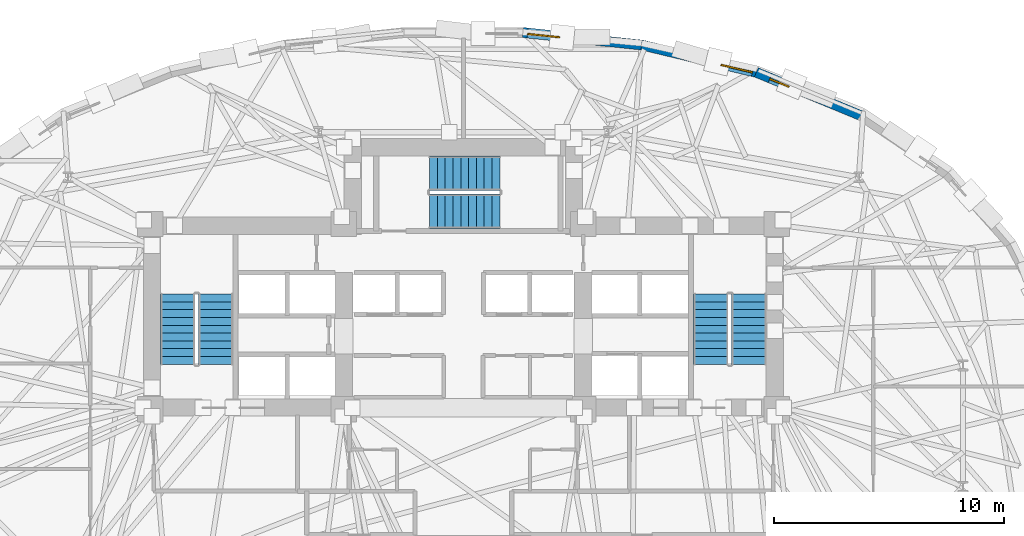
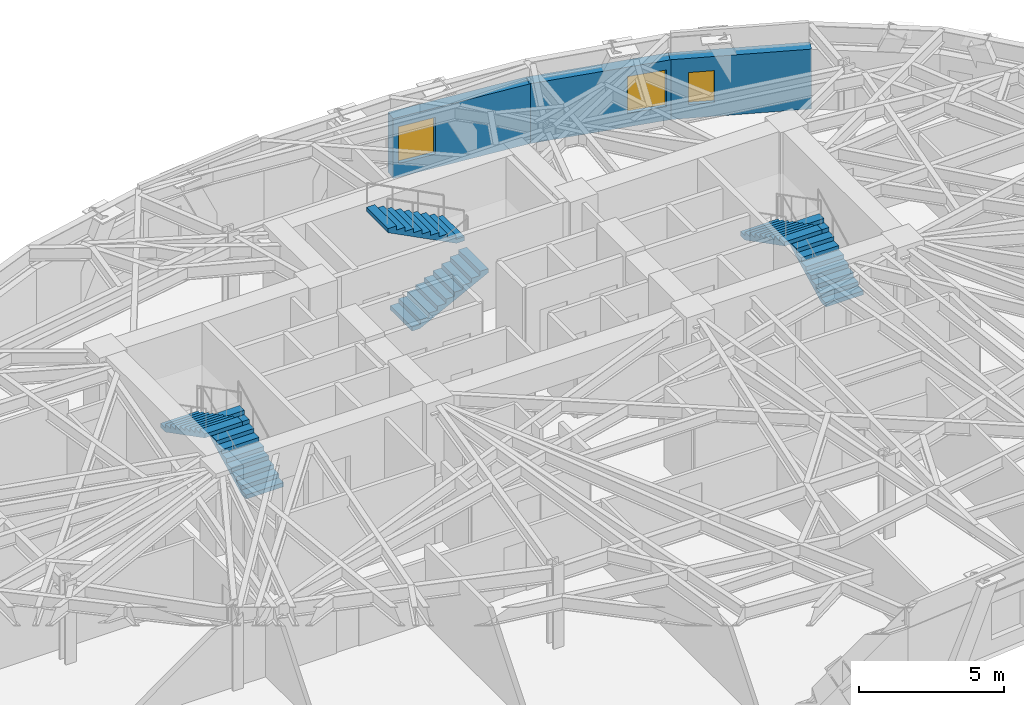
# One storey, part 10 of 14: 6 stair flights, 3 walls, 3 windows, 3 openings, 3 elements without a shape of their own.
"""IFC4 building model written with IfcOpenShell, lengths in metres."""

from ifc_helpers import new_model, si_unit, direction, frame, frame_2d, origin, place, context, subcontext, project, spatial, polyline, rectangle, outline, extrude, material, layer, layer_set, type_object, element, fill, aggregate, save


model = new_model("IFC4")

# Units and contexts
model_context = context("Model", 3, precision=1e-05, world=origin(), true_north=direction((0.0, 1.0)))
body_context = subcontext(model_context, "Body", "Model", "MODEL_VIEW")
ifc_project = project(units=[si_unit("LENGTHUNIT", "METRE"), si_unit("AREAUNIT", "SQUARE_METRE"), si_unit("VOLUMEUNIT", "CUBIC_METRE"), si_unit("PLANEANGLEUNIT", "RADIAN"), si_unit("MASSUNIT", "GRAM", prefix="KILO")], contexts=[model_context])

# Site, building, storey
site_placement = place(None, origin())
site = spatial("IfcSite", under=ifc_project, at=site_placement, CompositionType="ELEMENT")
building_placement = place(site_placement, origin())
building = spatial("IfcBuilding", under=site, at=building_placement, Name="Keldmark Tower", CompositionType="ELEMENT")
storey_placement = place(building_placement, frame((0.0, 0.0, 117.60009765625)))
storey = spatial("IfcBuildingStorey", under=building, at=storey_placement, Name="L31", CompositionType="ELEMENT", Elevation=117.60009765625)

# Wall, opening, window
ifc_material_1 = material(Name="Ironspot Manganese Brick and Kasota Buff Limestone Spandrel Assembly", Category="masonry")
ifc_layer = layer(ifc_material_1, 0.43994140625)
ifc_layer_set = layer_set([ifc_layer], Name="Ironspot Manganese Brick and Kasota Buff Limestone Spandrel Assembly")
wall_type = type_object("IfcWallType", Name="Tower Brick Pier and Spandrel Wall 440 mm", PredefinedType="STANDARD", material=ifc_layer_set)
wall_1_placement = place(storey_placement, frame((12.718017578125, 16.034423828125, 0.0), z_axis=(0.0, 0.0, 1.0), x_axis=(0.924140141084, -0.382053660678, 0.0)))
wall_1 = element("IfcWall", 1, at=wall_1_placement, inside=storey, type_object=wall_type, Name="L31 Exterior Brick and Spandrel Wall 05", PredefinedType="STANDARD", context=body_context, shape_type="SweptSolid", body=[
    extrude(rectangle(XDim=4.94287109375, YDim=0.43994140625, at=frame_2d((2.471435546875, 0.0))), origin(), (0.0, 0.0, 1.0), 2.52783203125),
])
opening_1_placement = place(wall_1_placement, frame((0.649169921875, 0.0, 0.580078125)))
opening_1 = element("IfcOpeningElement", 2, at=opening_1_placement, cuts=wall_1, Name="Opening W-09", PredefinedType="OPENING", context=body_context, shape_type="SweptSolid", body=[
    extrude(rectangle(XDim=0.89990234375, YDim=1.35009765625, at=frame_2d((0.449951171875, 0.675048828125))), frame((0.0, 0.22998046875, 0.0), z_axis=(0.0, -1.0, 0.0), x_axis=(1.0, 0.0, 0.0)), (0.0, 0.0, 1.0), 0.4599609375),
])
ifc_material_2 = material(Name="Thermally Broken Anodized Aluminum and Triple Low-E Argon Glazing", Category="aluminium")
window_type_1 = type_object("IfcWindowType", Name="Corner Pier Deep-Set Window 900x1350", PartitioningType="SINGLE_PANEL", PredefinedType="WINDOW", material=ifc_material_2)
window_1_placement = place(opening_1_placement, origin())
window_1 = element("IfcWindow", 3, at=window_1_placement, inside=storey, type_object=window_type_1, Name="L31 Deep-Set Window 05", OverallHeight=1.35009765625, OverallWidth=0.89990234375, PartitioningType="SINGLE_PANEL", PredefinedType="WINDOW", context=body_context, shape_type="SweptSolid", body=[
    extrude(rectangle(XDim=0.89990234375, YDim=1.35009765625, at=frame_2d((0.449951171875, 0.675048828125))), frame((0.0, -0.010009765625, 0.0), z_axis=(0.0, -1.0, 0.0), x_axis=(1.0, 0.0, 0.0)), (0.0, 0.0, 1.0), 0.06005859375),
])
fill(opening_1, window_1)

wall_2_placement = place(storey_placement, frame((7.749755859375, 17.220458984375, 0.0), z_axis=(0.0, 0.0, 1.0), x_axis=(0.972539655933, -0.232737228734, 0.0)))
wall_2 = element("IfcWall", 4, at=wall_2_placement, inside=storey, type_object=wall_type, Name="L31 Exterior Brick and Spandrel Wall 06", PredefinedType="STANDARD", context=body_context, shape_type="SweptSolid", body=[
    extrude(rectangle(XDim=5.14208984375, YDim=0.43994140625, at=frame_2d((2.571044921875, 0.0))), origin(), (0.0, 0.0, 1.0), 2.52783203125),
])
opening_2_placement = place(wall_2_placement, frame((3.542236328125, 0.0, 0.580078125)))
opening_2 = element("IfcOpeningElement", 5, at=opening_2_placement, cuts=wall_2, Name="Opening W-08", PredefinedType="OPENING", context=body_context, shape_type="SweptSolid", body=[
    extrude(rectangle(XDim=1.39990234375, YDim=1.550048828125, at=frame_2d((0.699951171875, 0.77490234375))), frame((0.0, 0.22998046875, 0.0), z_axis=(0.0, -1.0, 0.0), x_axis=(1.0, 0.0, 0.0)), (0.0, 0.0, 1.0), 0.4599609375),
])
ifc_material_3 = material(Name="Thermally Broken Anodized Aluminum and Triple Low-E Argon Glazing", Category="aluminium")
window_type_2 = type_object("IfcWindowType", Name="Residential Corner Punched Window 1400x1550", PartitioningType="SINGLE_PANEL", PredefinedType="WINDOW", material=ifc_material_3)
window_2_placement = place(opening_2_placement, origin())
window_2 = element("IfcWindow", 6, at=window_2_placement, inside=storey, type_object=window_type_2, Name="L31 Deep-Set Window 06", OverallHeight=1.550048828125, OverallWidth=1.39990234375, PartitioningType="SINGLE_PANEL", PredefinedType="WINDOW", context=body_context, shape_type="SweptSolid", body=[
    extrude(rectangle(XDim=1.39990234375, YDim=1.550048828125, at=frame_2d((0.699951171875, 0.77490234375))), frame((0.0, -0.010009765625, 0.0), z_axis=(0.0, -1.0, 0.0), x_axis=(1.0, 0.0, 0.0)), (0.0, 0.0, 1.0), 0.06005859375),
])
fill(opening_2, window_2)

wall_3_placement = place(storey_placement, frame((2.589111328125, 17.761962890625, 0.0), z_axis=(0.0, 0.0, 1.0), x_axis=(0.994501349718, -0.104723757619, 0.0)))
wall_3 = element("IfcWall", 7, at=wall_3_placement, inside=storey, type_object=wall_type, Name="L31 Exterior Brick and Spandrel Wall 07", PredefinedType="STANDARD", context=body_context, shape_type="SweptSolid", body=[
    extrude(rectangle(XDim=5.217529296875, YDim=0.43994140625, at=frame_2d((2.60888671875, 0.0))), origin(), (0.0, 0.0, 1.0), 2.52783203125),
])
opening_3_placement = place(wall_3_placement, frame((0.199951171875, 0.0, 0.580078125)))
opening_3 = element("IfcOpeningElement", 8, at=opening_3_placement, cuts=wall_3, Name="Opening W-08", PredefinedType="OPENING", context=body_context, shape_type="SweptSolid", body=[
    extrude(rectangle(XDim=1.39990234375, YDim=1.550048828125, at=frame_2d((0.699951171875, 0.77490234375))), frame((0.0, 0.22998046875, 0.0), z_axis=(0.0, -1.0, 0.0), x_axis=(1.0, 0.0, 0.0)), (0.0, 0.0, 1.0), 0.4599609375),
])
window_3_placement = place(opening_3_placement, origin())
window_3 = element("IfcWindow", 9, at=window_3_placement, inside=storey, type_object=window_type_2, Name="L31 Deep-Set Window 07", OverallHeight=1.550048828125, OverallWidth=1.39990234375, PartitioningType="SINGLE_PANEL", PredefinedType="WINDOW", context=body_context, shape_type="SweptSolid", body=[
    extrude(rectangle(XDim=1.39990234375, YDim=1.550048828125, at=frame_2d((0.699951171875, 0.77490234375))), frame((0.0, -0.010009765625, 0.0), z_axis=(0.0, -1.0, 0.0), x_axis=(1.0, 0.0, 0.0)), (0.0, 0.0, 1.0), 0.06005859375),
])
fill(opening_3, window_3)

# Stair, stair flights
ifc_material_4 = material(Name="Concrete C40/50", Category="concrete")
stair_type = type_object("IfcStairType", Name="Precast Concrete Core Exit Stair", PredefinedType="HALF_TURN_STAIR", material=ifc_material_4)
stair_1_placement = place(storey_placement, origin())
stair_1 = element("IfcStair", 10, at=stair_1_placement, inside=storey, type_object=stair_type, Name="L31 Exit Stair ST1", PredefinedType="HALF_TURN_STAIR")
ifc_material_5 = material(Name="Concrete C40/50", Category="concrete")
stair_flight_type = type_object("IfcStairFlightType", Name="Precast Concrete Stair Flight 1500 mm", PredefinedType="STRAIGHT", material=ifc_material_5)
stair_flight_1_placement = place(storey_placement, frame((-10.75, 3.35009765625, 0.0), z_axis=(0.0, 0.0, 1.0), x_axis=(0.0, 1.0, 0.0)))
stair_flight_1 = element("IfcStairFlight", 11, at=stair_flight_1_placement, type_object=stair_flight_type, Name="ST1 flight 1", NumberOfRisers=10, NumberOfTreads=9, PredefinedType="STRAIGHT", RiserHeight=0.175, TreadLength=0.34, context=body_context, shape_type="SweptSolid", body=[
    extrude(outline(polyline([(0.0, 0.0), (0.0, 0.175048828125), (0.340087890625, 0.175048828125), (0.340087890625, 0.35009765625), (0.679931640625, 0.35009765625), (0.679931640625, 0.52490234375), (1.02001953125, 0.52490234375), (1.02001953125, 0.699951171875), (1.360107421875, 0.699951171875), (1.360107421875, 0.875), (1.699951171875, 0.875), (1.699951171875, 1.050048828125), (2.0400390625, 1.050048828125), (2.0400390625, 1.22509765625), (2.3798828125, 1.22509765625), (2.3798828125, 1.39990234375), (2.719970703125, 1.39990234375), (2.719970703125, 1.574951171875), (3.06005859375, 1.574951171875), (3.06005859375, 1.75), (3.06005859375, 1.406494140625), (0.32763671875, 0.0), (0.0, 0.0)])), frame((0.0, 0.75, 0.0), z_axis=(0.0, -1.0, 0.0), x_axis=(1.0, 0.0, 0.0)), (0.0, 0.0, 1.0), 1.5),
])
stair_flight_2_placement = place(storey_placement, frame((-12.39990234375, 6.409912109375, 1.75), z_axis=(0.0, 0.0, 1.0), x_axis=(0.0, -1.0, 0.0)))
stair_flight_2 = element("IfcStairFlight", 12, at=stair_flight_2_placement, type_object=stair_flight_type, Name="ST1 flight 2", NumberOfRisers=10, NumberOfTreads=9, PredefinedType="STRAIGHT", RiserHeight=0.175, TreadLength=0.34, context=body_context, shape_type="SweptSolid", body=[
    extrude(outline(polyline([(0.0, 0.0), (0.0, 0.175048828125), (0.340087890625, 0.175048828125), (0.340087890625, 0.35009765625), (0.679931640625, 0.35009765625), (0.679931640625, 0.52490234375), (1.02001953125, 0.52490234375), (1.02001953125, 0.699951171875), (1.360107421875, 0.699951171875), (1.360107421875, 0.875), (1.699951171875, 0.875), (1.699951171875, 1.050048828125), (2.0400390625, 1.050048828125), (2.0400390625, 1.22509765625), (2.3798828125, 1.22509765625), (2.3798828125, 1.39990234375), (2.719970703125, 1.39990234375), (2.719970703125, 1.574951171875), (3.06005859375, 1.574951171875), (3.06005859375, 1.75), (3.06005859375, 1.406494140625), (0.32763671875, 0.0), (0.0, 0.0)])), frame((0.0, 0.75, 0.0), z_axis=(0.0, -1.0, 0.0), x_axis=(1.0, 0.0, 0.0)), (0.0, 0.0, 1.0), 1.5),
])
aggregate(stair_1, [stair_flight_1, stair_flight_2])

stair_2_placement = place(storey_placement, origin())
stair_2 = element("IfcStair", 13, at=stair_2_placement, inside=storey, type_object=stair_type, Name="L31 Exit Stair ST2", PredefinedType="HALF_TURN_STAIR")
stair_flight_3_placement = place(storey_placement, frame((12.39990234375, 3.35009765625, 0.0), z_axis=(0.0, 0.0, 1.0), x_axis=(0.0, 1.0, 0.0)))
stair_flight_3 = element("IfcStairFlight", 14, at=stair_flight_3_placement, type_object=stair_flight_type, Name="ST2 flight 1", NumberOfRisers=10, NumberOfTreads=9, PredefinedType="STRAIGHT", RiserHeight=0.175, TreadLength=0.34, context=body_context, shape_type="SweptSolid", body=[
    extrude(outline(polyline([(0.0, 0.0), (0.0, 0.175048828125), (0.340087890625, 0.175048828125), (0.340087890625, 0.35009765625), (0.679931640625, 0.35009765625), (0.679931640625, 0.52490234375), (1.02001953125, 0.52490234375), (1.02001953125, 0.699951171875), (1.360107421875, 0.699951171875), (1.360107421875, 0.875), (1.699951171875, 0.875), (1.699951171875, 1.050048828125), (2.0400390625, 1.050048828125), (2.0400390625, 1.22509765625), (2.3798828125, 1.22509765625), (2.3798828125, 1.39990234375), (2.719970703125, 1.39990234375), (2.719970703125, 1.574951171875), (3.06005859375, 1.574951171875), (3.06005859375, 1.75), (3.06005859375, 1.406494140625), (0.32763671875, 0.0), (0.0, 0.0)])), frame((0.0, 0.75, 0.0), z_axis=(0.0, -1.0, 0.0), x_axis=(1.0, 0.0, 0.0)), (0.0, 0.0, 1.0), 1.5),
])
stair_flight_4_placement = place(storey_placement, frame((10.75, 6.409912109375, 1.75), z_axis=(0.0, 0.0, 1.0), x_axis=(0.0, -1.0, 0.0)))
stair_flight_4 = element("IfcStairFlight", 15, at=stair_flight_4_placement, type_object=stair_flight_type, Name="ST2 flight 2", NumberOfRisers=10, NumberOfTreads=9, PredefinedType="STRAIGHT", RiserHeight=0.175, TreadLength=0.34, context=body_context, shape_type="SweptSolid", body=[
    extrude(outline(polyline([(0.0, 0.0), (0.0, 0.175048828125), (0.340087890625, 0.175048828125), (0.340087890625, 0.35009765625), (0.679931640625, 0.35009765625), (0.679931640625, 0.52490234375), (1.02001953125, 0.52490234375), (1.02001953125, 0.699951171875), (1.360107421875, 0.699951171875), (1.360107421875, 0.875), (1.699951171875, 0.875), (1.699951171875, 1.050048828125), (2.0400390625, 1.050048828125), (2.0400390625, 1.22509765625), (2.3798828125, 1.22509765625), (2.3798828125, 1.39990234375), (2.719970703125, 1.39990234375), (2.719970703125, 1.574951171875), (3.06005859375, 1.574951171875), (3.06005859375, 1.75), (3.06005859375, 1.406494140625), (0.32763671875, 0.0), (0.0, 0.0)])), frame((0.0, 0.75, 0.0), z_axis=(0.0, -1.0, 0.0), x_axis=(1.0, 0.0, 0.0)), (0.0, 0.0, 1.0), 1.5),
])
aggregate(stair_2, [stair_flight_3, stair_flight_4])

stair_3_placement = place(storey_placement, origin())
stair_3 = element("IfcStair", 16, at=stair_3_placement, inside=storey, type_object=stair_type, Name="L31 Exit Stair ST3", PredefinedType="HALF_TURN_STAIR")
stair_flight_5_placement = place(storey_placement, frame((-1.47509765625, 10.0, 0.0), z_axis=(0.0, 0.0, 1.0), x_axis=(1.0, 0.0, 0.0)))
stair_flight_5 = element("IfcStairFlight", 17, at=stair_flight_5_placement, type_object=stair_flight_type, Name="ST3 flight 1", NumberOfRisers=10, NumberOfTreads=9, PredefinedType="STRAIGHT", RiserHeight=0.175, TreadLength=0.34, context=body_context, shape_type="SweptSolid", body=[
    extrude(outline(polyline([(0.0, 0.0), (0.0, 0.175048828125), (0.340087890625, 0.175048828125), (0.340087890625, 0.35009765625), (0.679931640625, 0.35009765625), (0.679931640625, 0.52490234375), (1.02001953125, 0.52490234375), (1.02001953125, 0.699951171875), (1.360107421875, 0.699951171875), (1.360107421875, 0.875), (1.699951171875, 0.875), (1.699951171875, 1.050048828125), (2.0400390625, 1.050048828125), (2.0400390625, 1.22509765625), (2.3798828125, 1.22509765625), (2.3798828125, 1.39990234375), (2.719970703125, 1.39990234375), (2.719970703125, 1.574951171875), (3.06005859375, 1.574951171875), (3.06005859375, 1.75), (3.06005859375, 1.406494140625), (0.32763671875, 0.0), (0.0, 0.0)])), frame((0.0, 0.75, 0.0), z_axis=(0.0, -1.0, 0.0), x_axis=(1.0, 0.0, 0.0)), (0.0, 0.0, 1.0), 1.5),
])
stair_flight_6_placement = place(storey_placement, frame((1.5849609375, 11.64990234375, 1.75), z_axis=(0.0, 0.0, 1.0), x_axis=(-1.0, 0.0, 0.0)))
stair_flight_6 = element("IfcStairFlight", 18, at=stair_flight_6_placement, type_object=stair_flight_type, Name="ST3 flight 2", NumberOfRisers=10, NumberOfTreads=9, PredefinedType="STRAIGHT", RiserHeight=0.175, TreadLength=0.34, context=body_context, shape_type="SweptSolid", body=[
    extrude(outline(polyline([(0.0, 0.0), (0.0, 0.175048828125), (0.340087890625, 0.175048828125), (0.340087890625, 0.35009765625), (0.679931640625, 0.35009765625), (0.679931640625, 0.52490234375), (1.02001953125, 0.52490234375), (1.02001953125, 0.699951171875), (1.360107421875, 0.699951171875), (1.360107421875, 0.875), (1.699951171875, 0.875), (1.699951171875, 1.050048828125), (2.0400390625, 1.050048828125), (2.0400390625, 1.22509765625), (2.3798828125, 1.22509765625), (2.3798828125, 1.39990234375), (2.719970703125, 1.39990234375), (2.719970703125, 1.574951171875), (3.06005859375, 1.574951171875), (3.06005859375, 1.75), (3.06005859375, 1.406494140625), (0.32763671875, 0.0), (0.0, 0.0)])), frame((0.0, 0.75, 0.0), z_axis=(0.0, -1.0, 0.0), x_axis=(1.0, 0.0, 0.0)), (0.0, 0.0, 1.0), 1.5),
])
aggregate(stair_3, [stair_flight_5, stair_flight_6])

save(model, "model.ifc")
